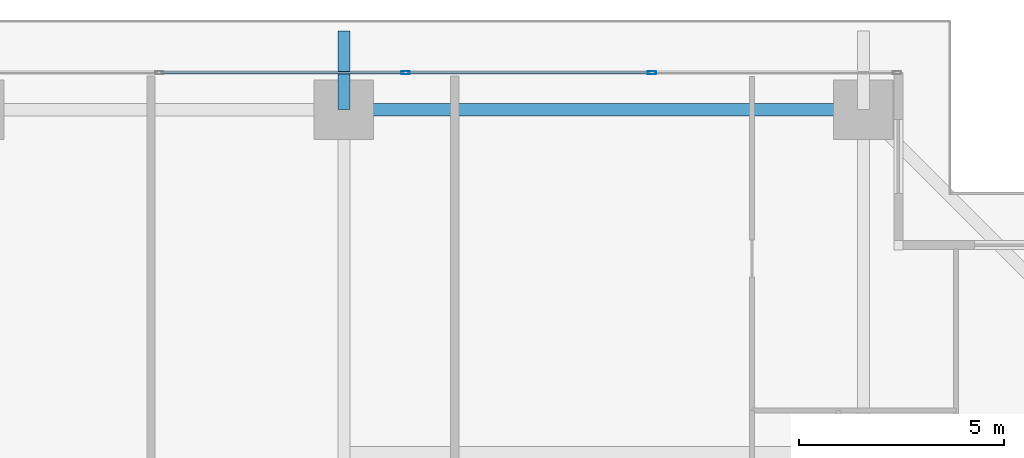
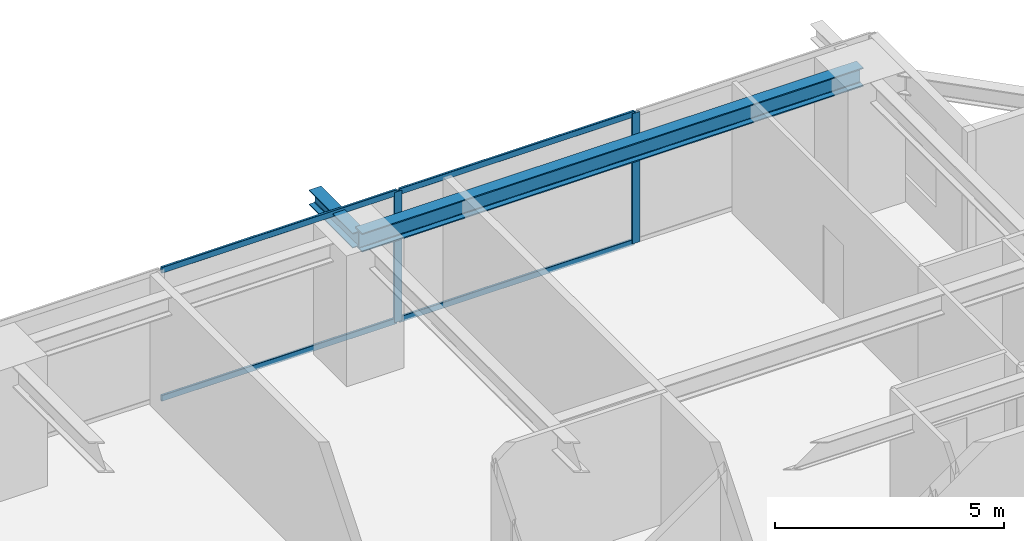
# One storey, part 24 of 41: 6 members, 2 beams, 1 element without a shape of its own.
"""IFC4 building model written with IfcOpenShell, lengths in metres."""

from ifc_helpers import new_model, si_unit, direction, frame, origin, origin_2d, place, context, subcontext, project, spatial, hollow_rectangle, i_section, extrude, source, transform, mapped, material, layer, layer_set, material_profile, profile_set, type_object, element, aggregate, save


model = new_model("IFC4")

# Units and contexts
model_context = context("Model", 3, precision=1e-05, world=origin(), true_north=direction((0.0, 1.0)))
body_context = subcontext(model_context, "Body", "Model", "MODEL_VIEW")
ifc_project = project(units=[si_unit("LENGTHUNIT", "METRE"), si_unit("AREAUNIT", "SQUARE_METRE"), si_unit("VOLUMEUNIT", "CUBIC_METRE"), si_unit("PLANEANGLEUNIT", "RADIAN"), si_unit("MASSUNIT", "GRAM", prefix="KILO")], contexts=[model_context])

# Site, building, storey
site_placement = place(None, origin())
site = spatial("IfcSite", under=ifc_project, at=site_placement, CompositionType="ELEMENT")
building_placement = place(site_placement, origin())
building = spatial("IfcBuilding", under=site, at=building_placement, Name="Serunith Strait Residences", CompositionType="ELEMENT")
storey_placement = place(building_placement, frame((0.0, 0.0, 45.449951171875)))
storey = spatial("IfcBuildingStorey", under=building, at=storey_placement, Name="L10", CompositionType="ELEMENT", Elevation=45.449951171875)

# Beams
ifc_material_1 = material(Name="Steel S355J2", Category="steel")
ifc_material_profile_1 = material_profile(ifc_material_1, i_section(OverallWidth=0.300048828125, OverallDepth=0.5, WebThickness=0.014404296875, FlangeThickness=0.028076171875, FilletRadius=0.027099609375, at=origin_2d()), Name="HEB 500")
ifc_profile_set_1 = profile_set([ifc_material_profile_1], Name="Steel S355J2")
beam_type_1 = type_object("IfcBeamType", Name="BM-HEB500", PredefinedType="BEAM", material=ifc_profile_set_1)
shared_shape_1 = source(origin(), body_context, "Body", "SweptSolid", [
    extrude(i_section(OverallWidth=0.300048828125, OverallDepth=0.5, WebThickness=0.014404296875, FlangeThickness=0.028076171875, FilletRadius=0.027099609375, at=origin_2d()), origin(), (0.0, 0.0, 1.0), 12.650146484375),
])
beam_1_placement = place(storey_placement, frame((49.550048828125, 49.300048828125, 3.237060546875), z_axis=(-1.0, 0.0, 0.0), x_axis=(0.0, -1.0, 0.0)))
element("IfcBeam", 1, at=beam_1_placement, inside=storey, type_object=beam_type_1, Name="L10 Perimeter Ring Beam 09", PredefinedType="BEAM", context=body_context, shape_type="MappedRepresentation", body=[
    mapped(shared_shape_1, transform((0.0, 0.0, 0.0), scale=1.0)),
])
ifc_material_profile_2 = material_profile(ifc_material_1, i_section(OverallWidth=0.300048828125, OverallDepth=0.39990234375, WebThickness=0.013427734375, FlangeThickness=0.02392578125, FilletRadius=0.027099609375, at=origin_2d()), Name="HEB 400")
ifc_profile_set_2 = profile_set([ifc_material_profile_2], Name="Steel S355J2")
beam_type_2 = type_object("IfcBeamType", Name="BM-HEB400", PredefinedType="BEAM", material=ifc_profile_set_2)
shared_shape_2 = source(origin(), body_context, "Body", "SweptSolid", [
    extrude(i_section(OverallWidth=0.300048828125, OverallDepth=0.39990234375, WebThickness=0.013427734375, FlangeThickness=0.02392578125, FilletRadius=0.027099609375, at=origin_2d()), origin(), (0.0, 0.0, 1.0), 1.909912109375),
])
beam_2_placement = place(storey_placement, frame((36.89990234375, 49.300048828125, 3.257080078125), z_axis=(0.0, 1.0, 0.0), x_axis=(-1.0, 0.0, 0.0)))
element("IfcBeam", 2, at=beam_2_placement, inside=storey, type_object=beam_type_2, Name="L11 Cantilevered Balcony Rib TC-N3", PredefinedType="BEAM", context=body_context, shape_type="MappedRepresentation", body=[
    mapped(shared_shape_2, transform((0.0, 0.0, 0.0), scale=1.0)),
])

# Curtain wall, members
ifc_material_2 = material(Name="Pale-Champagne Anodised Aluminium", Category="aluminium")
ifc_layer = layer(ifc_material_2, 0.199951171875, Name="Pale-Champagne Anodised Aluminium")
ifc_layer_set = layer_set([ifc_layer], Name="Pale-Champagne Anodised Aluminium")
curtain_wall_type = type_object("IfcCurtainWallType", Name="CW-SYS1", PredefinedType="NOTDEFINED", material=ifc_layer_set)
curtain_wall_placement = place(storey_placement, origin())
curtain_wall = element("IfcCurtainWall", 3, at=curtain_wall_placement, inside=storey, type_object=curtain_wall_type, Name="L10 N Unitised Fritted Curtain Wall", PredefinedType="NOTDEFINED")
ifc_material_profile_3 = material_profile(ifc_material_2, hollow_rectangle(XDim=0.070068359375, YDim=0.199951171875, WallThickness=0.00390625, InnerFilletRadius=0.006103515625, OuterFilletRadius=0.010009765625, at=origin_2d()), Name="ALU 200x70x4")
ifc_profile_set_3 = profile_set([ifc_material_profile_3], Name="Pale-Champagne Anodised Aluminium")
member_type_1 = type_object("IfcMemberType", Name="CW-SYS1-MULL", PredefinedType="MULLION", material=ifc_profile_set_3)
shared_shape_3 = source(origin(), body_context, "Body", "SweptSolid", [
    extrude(hollow_rectangle(XDim=0.070068359375, YDim=0.199951171875, WallThickness=0.00390625, InnerFilletRadius=0.006103515625, OuterFilletRadius=0.010009765625, at=origin_2d()), origin(), (0.0, 0.0, 1.0), 3.47509765625),
])
member_1_placement = place(storey_placement, frame((44.39990234375, 50.199951171875, 0.0), z_axis=(0.0, 0.0, 1.0), x_axis=(0.0, -1.0, 0.0)))
member_1 = element("IfcMember", 4, at=member_1_placement, type_object=member_type_1, Name="CW-1 mullion 2", PredefinedType="MULLION", context=body_context, shape_type="MappedRepresentation", body=[
    mapped(shared_shape_3, transform((0.0, 0.0, 0.0), scale=1.0)),
])
member_2_placement = place(storey_placement, frame((38.39990234375, 50.199951171875, 0.0), z_axis=(0.0, 0.0, 1.0), x_axis=(0.0, -1.0, 0.0)))
member_2 = element("IfcMember", 5, at=member_2_placement, type_object=member_type_1, Name="CW-1 mullion 3", PredefinedType="MULLION", context=body_context, shape_type="MappedRepresentation", body=[
    mapped(shared_shape_3, transform((0.0, 0.0, 0.0), scale=1.0)),
])
ifc_material_profile_4 = material_profile(ifc_material_2, hollow_rectangle(XDim=0.06005859375, YDim=0.159912109375, WallThickness=0.00341796875, InnerFilletRadius=0.00537109375, OuterFilletRadius=0.0087890625, at=origin_2d()), Name="ALU 160x60x3.5")
ifc_profile_set_4 = profile_set([ifc_material_profile_4], Name="Pale-Champagne Anodised Aluminium")
member_type_2 = type_object("IfcMemberType", Name="CW-SYS1-TRAN", PredefinedType="USERDEFINED", material=ifc_profile_set_4)
shared_shape_4 = source(origin(), body_context, "Body", "SweptSolid", [
    extrude(hollow_rectangle(XDim=0.06005859375, YDim=0.159912109375, WallThickness=0.00341796875, InnerFilletRadius=0.00537109375, OuterFilletRadius=0.0087890625, at=origin_2d()), origin(), (0.0, 0.0, 1.0), 5.929931640625),
])
member_3_placement = place(storey_placement, frame((44.364990234375, 50.199951171875, 0.030029296875), z_axis=(-1.0, 0.0, 0.0), x_axis=(0.0, -1.0, 0.0)))
member_3 = element("IfcMember", 6, at=member_3_placement, type_object=member_type_2, Name="CW-1 transom 2.1", ObjectType="TRANSOM", PredefinedType="USERDEFINED", context=body_context, shape_type="MappedRepresentation", body=[
    mapped(shared_shape_4, transform((0.0, 0.0, 0.0), scale=1.0)),
])
member_4_placement = place(storey_placement, frame((44.364990234375, 50.199951171875, 3.445068359375), z_axis=(-1.0, 0.0, 0.0), x_axis=(0.0, -1.0, 0.0)))
member_4 = element("IfcMember", 7, at=member_4_placement, type_object=member_type_2, Name="CW-1 transom 2.2", ObjectType="TRANSOM", PredefinedType="USERDEFINED", context=body_context, shape_type="MappedRepresentation", body=[
    mapped(shared_shape_4, transform((0.0, 0.0, 0.0), scale=1.0)),
])
member_5_placement = place(storey_placement, frame((38.364990234375, 50.199951171875, 0.030029296875), z_axis=(-1.0, 0.0, 0.0), x_axis=(0.0, -1.0, 0.0)))
member_5 = element("IfcMember", 8, at=member_5_placement, type_object=member_type_2, Name="CW-1 transom 3.1", ObjectType="TRANSOM", PredefinedType="USERDEFINED", context=body_context, shape_type="MappedRepresentation", body=[
    mapped(shared_shape_4, transform((0.0, 0.0, 0.0), scale=1.0)),
])
member_6_placement = place(storey_placement, frame((38.364990234375, 50.199951171875, 3.445068359375), z_axis=(-1.0, 0.0, 0.0), x_axis=(0.0, -1.0, 0.0)))
member_6 = element("IfcMember", 9, at=member_6_placement, type_object=member_type_2, Name="CW-1 transom 3.2", ObjectType="TRANSOM", PredefinedType="USERDEFINED", context=body_context, shape_type="MappedRepresentation", body=[
    mapped(shared_shape_4, transform((0.0, 0.0, 0.0), scale=1.0)),
])
aggregate(curtain_wall, [member_1, member_2, member_3, member_4, member_5, member_6])

save(model, "model.ifc")
